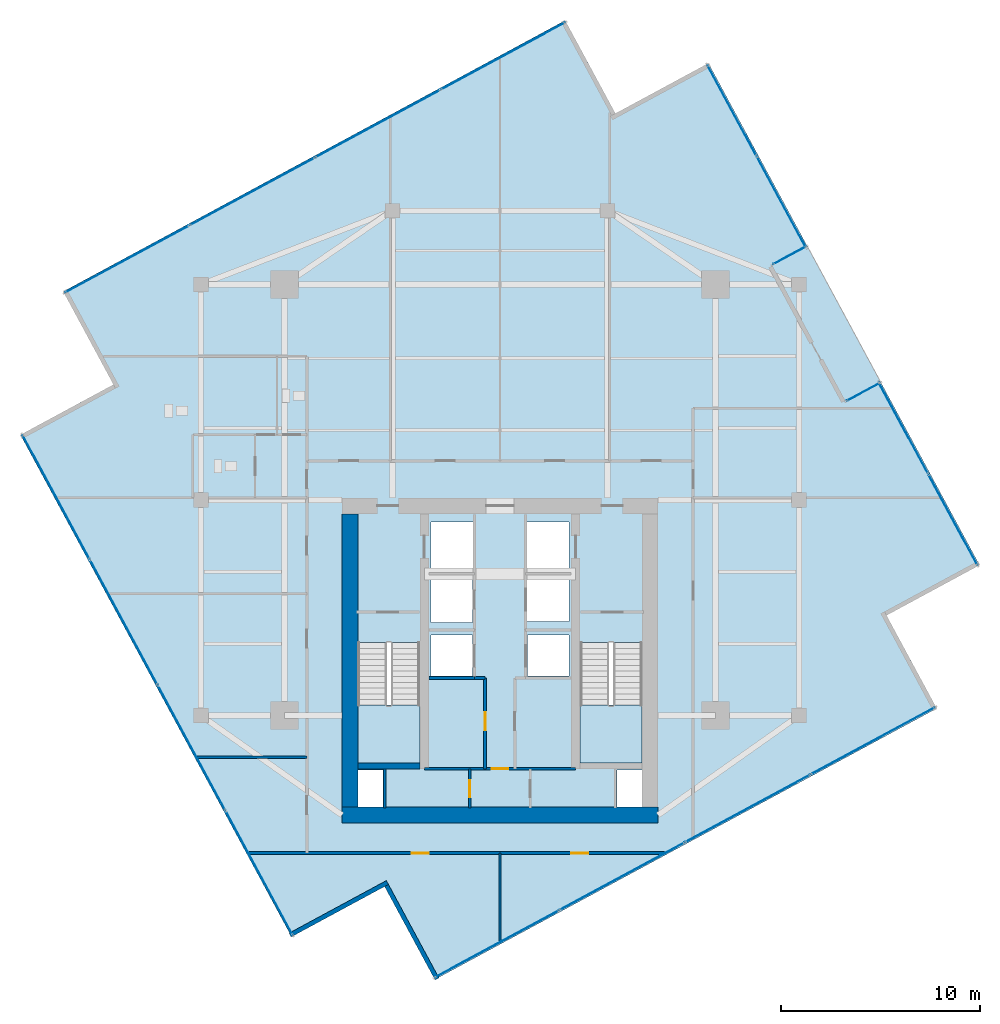
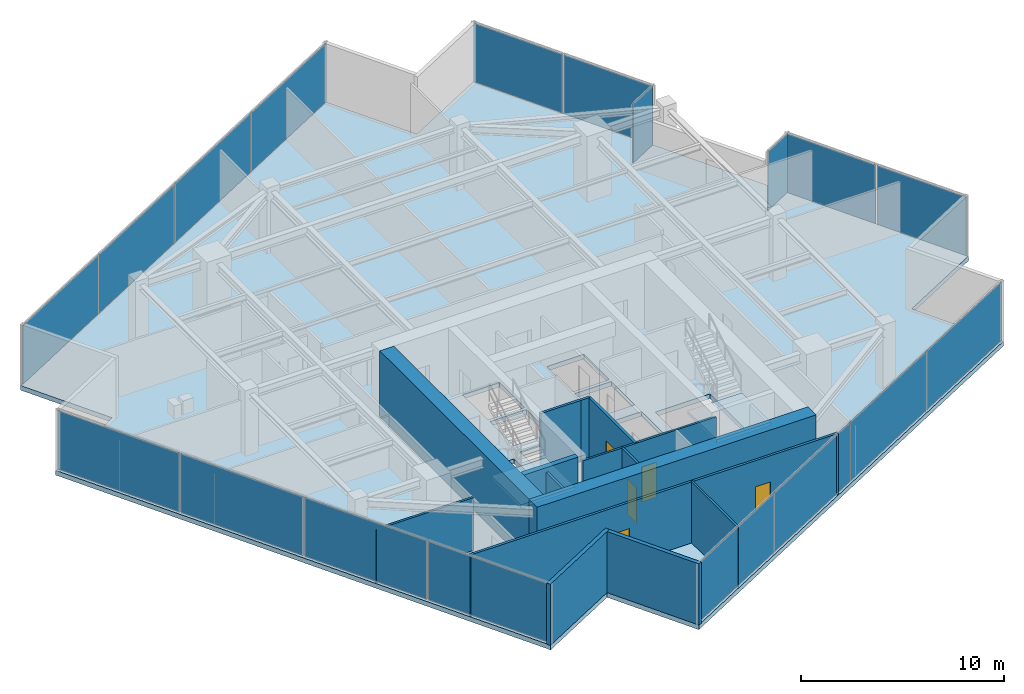
# One storey, part 18 of 22: 18 plates, 14 walls, 5 doors, 3 slabs, 5 openings, 9 elements without a shape of their own.
"""IFC4 building model written with IfcOpenShell, lengths in metres."""

from ifc_helpers import new_model, si_unit, direction, frame, frame_2d, origin, origin_2d, place, context, subcontext, project, spatial, polyline, rectangle, outline, extrude, source, transform, mapped, material, layer, layer_set, type_object, type_shapes, element, fill, aggregate, save


model = new_model("IFC4")

# Units and contexts
model_context = context("Model", 3, precision=1e-05, world=origin(), true_north=direction((0.0, 1.0)))
body_context = subcontext(model_context, "Body", "Model", "MODEL_VIEW")
ifc_project = project(units=[si_unit("LENGTHUNIT", "METRE"), si_unit("AREAUNIT", "SQUARE_METRE"), si_unit("VOLUMEUNIT", "CUBIC_METRE"), si_unit("PLANEANGLEUNIT", "RADIAN"), si_unit("MASSUNIT", "GRAM", prefix="KILO")], contexts=[model_context])

# Site, building, storey
site_placement = place(None, origin())
site = spatial("IfcSite", under=ifc_project, at=site_placement, CompositionType="ELEMENT")
building_placement = place(site_placement, origin())
building = spatial("IfcBuilding", under=site, at=building_placement, Name="Krantzveldt Concourse Tower", CompositionType="ELEMENT")
storey_placement = place(building_placement, frame((0.0, 0.0, 302.949951171875)))
storey = spatial("IfcBuildingStorey", under=building, at=storey_placement, Name="L74", CompositionType="ELEMENT", Elevation=302.949951171875)

# Stair, slab
ifc_material_1 = material(Name="Precast concrete C40/50", Category="concrete")
stair_type = type_object("IfcStairType", Name="STR-CORE-DOGLEG", PredefinedType="HALF_TURN_STAIR", material=ifc_material_1)
stair_1_placement = place(storey_placement, origin())
stair_1 = element("IfcStair", 1, at=stair_1_placement, inside=storey, type_object=stair_type, Name="L74 Protected Escape Stair ST-1", PredefinedType="HALF_TURN_STAIR")
ifc_layer_1 = layer(ifc_material_1, 0.199951171875, Name="Precast concrete C40/50", Category="concrete")
ifc_layer_set_1 = layer_set([ifc_layer_1], Name="Precast concrete C40/50 (SL-LANDING-200)")
slab_type_1 = type_object("IfcSlabType", Name="SL-LANDING-200", PredefinedType="LANDING", material=ifc_layer_set_1)
slab_1_placement = place(storey_placement, frame((0.0, 0.0, 1.775146484375)))
slab_1 = element("IfcSlab", 2, at=slab_1_placement, type_object=slab_type_1, Name="ST-1 landing 1", PredefinedType="LANDING", context=body_context, shape_type="SweptSolid", body=[
    extrude(outline(polyline([(28.8798828125, 16.4150390625), (28.8798828125, 13.52001953125), (31.97998046875, 13.52001953125), (31.97998046875, 16.4150390625), (28.8798828125, 16.4150390625)])), origin(), (0.0, 0.0, 1.0), 0.199951171875),
])
aggregate(stair_1, [slab_1])

stair_2_placement = place(storey_placement, origin())
stair_2 = element("IfcStair", 3, at=stair_2_placement, inside=storey, type_object=stair_type, Name="L74 Protected Escape Stair ST-2", PredefinedType="HALF_TURN_STAIR")
slab_2_placement = place(storey_placement, frame((0.0, 0.0, 1.775146484375)))
slab_2 = element("IfcSlab", 4, at=slab_2_placement, type_object=slab_type_1, Name="ST-2 landing 1", PredefinedType="LANDING", context=body_context, shape_type="SweptSolid", body=[
    extrude(outline(polyline([(40.02001953125, 16.4150390625), (40.02001953125, 13.52001953125), (43.1201171875, 13.52001953125), (43.1201171875, 16.4150390625), (40.02001953125, 16.4150390625)])), origin(), (0.0, 0.0, 1.0), 0.199951171875),
])
aggregate(stair_2, [slab_2])

# Slab
ifc_material_2 = material(Name="Concrete C40/50", Category="concrete")
ifc_layer_2 = layer(ifc_material_2, 0.280029296875, Name="Concrete C40/50", Category="concrete")
ifc_layer_set_2 = layer_set([ifc_layer_2], Name="Concrete C40/50 (SL-SL-TER280)")
slab_type_2 = type_object("IfcSlabType", Name="SL-SL-TER280", PredefinedType="FLOOR", material=ifc_layer_set_2)
slab_3_placement = place(storey_placement, frame((0.0, 0.0, -0.280029296875)))
element("IfcSlab", 5, at=slab_3_placement, inside=storey, type_object=slab_type_2, Name="SL-L74-MAIN", PredefinedType="FLOOR", context=body_context, shape_type="SweptSolid", body=[
    extrude(outline(polyline([(41.785888671875, 46.077880859375), (39.267333984375, 50.7412109375), (14.103271484375, 37.149169921875), (16.6220703125, 32.486083984375), (11.958984375, 29.96728515625), (25.55078125, 4.803466796875), (30.214111328125, 7.322021484375), (32.732666015625, 2.658935546875), (57.896728515625, 16.250732421875), (55.3779296875, 20.9140625), (60.041015625, 23.432861328125), (46.44921875, 48.5966796875), (41.785888671875, 46.077880859375)]), holes=[polyline([(28.8798828125, 19.547607421875), (28.8798828125, 13.52001953125), (31.97998046875, 13.52001953125), (31.97998046875, 19.547607421875), (28.8798828125, 19.547607421875)]), polyline([(40.02001953125, 19.547607421875), (40.02001953125, 13.52001953125), (43.1201171875, 13.52001953125), (43.1201171875, 19.547607421875), (40.02001953125, 19.547607421875)]), polyline([(32.550048828125, 23.10009765625), (34.64990234375, 23.10009765625), (34.64990234375, 25.60009765625), (32.550048828125, 25.60009765625), (32.550048828125, 23.10009765625)]), polyline([(37.35009765625, 23.10009765625), (39.449951171875, 23.10009765625), (39.449951171875, 25.60009765625), (37.35009765625, 25.60009765625), (37.35009765625, 23.10009765625)]), polyline([(37.35009765625, 20.60009765625), (39.449951171875, 20.60009765625), (39.449951171875, 22.89990234375), (37.35009765625, 22.89990234375), (37.35009765625, 20.60009765625)]), polyline([(32.550048828125, 20.550048828125), (34.6201171875, 20.550048828125), (34.6201171875, 22.89990234375), (32.550048828125, 22.89990234375), (32.550048828125, 20.550048828125)]), polyline([(32.550048828125, 17.8798828125), (34.6201171875, 17.8798828125), (34.6201171875, 19.919921875), (32.550048828125, 19.919921875), (32.550048828125, 17.8798828125)]), polyline([(37.3798828125, 17.8798828125), (39.449951171875, 17.8798828125), (39.449951171875, 19.919921875), (37.3798828125, 19.919921875), (37.3798828125, 17.8798828125)]), polyline([(28.8798828125, 11.320068359375), (30.139892578125, 11.320068359375), (30.139892578125, 13.159912109375), (28.8798828125, 13.159912109375), (28.8798828125, 11.320068359375)]), polyline([(41.860107421875, 11.320068359375), (43.1201171875, 11.320068359375), (43.1201171875, 13.159912109375), (41.860107421875, 13.159912109375), (41.860107421875, 11.320068359375)])]), origin(), (0.0, 0.0, 1.0), 0.280029296875),
])

# Curtain wall, plate
ifc_material_3 = material(Name="Anodised aluminium 6063-T6", Category="aluminium")
curtain_wall_type_1 = type_object("IfcCurtainWallType", Name="CW6", PredefinedType="USERDEFINED", material=ifc_material_3)
curtain_wall_1_placement = place(storey_placement, origin())
curtain_wall_1 = element("IfcCurtainWall", 6, at=curtain_wall_1_placement, inside=storey, type_object=curtain_wall_type_1, Name="CW-L74-TR11", ObjectType="UNITISED CURTAIN WALL", PredefinedType="USERDEFINED")
ifc_material_4 = material(Name="Bronze-tinted laminated low-E IGU glass", Category="glass")
ifc_layer_3 = layer(ifc_material_4, 0.031982421875, Name="Bronze-tinted laminated low-E IGU glass", Category="glass")
ifc_layer_set_3 = layer_set([ifc_layer_3], Name="Bronze-tinted laminated low-E IGU glass (CW-GLZ-32)")
plate_type = type_object("IfcPlateType", Name="CW-GLZ-32", PredefinedType="CURTAIN_PANEL", material=ifc_layer_set_3)
shared_shape_1 = source(origin(), body_context, "Body", "SweptSolid", [
    extrude(rectangle(XDim=1.860107421875, YDim=0.031982421875, at=origin_2d()), origin(), (0.0, 0.0, 1.0), 3.530029296875),
])
plate_1_placement = place(storey_placement, frame((54.214111328125, 32.116943359375, 0.06982421875), z_axis=(0.0, 0.0, 1.0), x_axis=(-0.879855933255, -0.475240504079, 0.0)))
plate_1 = element("IfcPlate", 7, at=plate_1_placement, type_object=plate_type, Name="CW-TERR panel 1.1", PredefinedType="CURTAIN_PANEL", context=body_context, shape_type="MappedRepresentation", body=[
    mapped(shared_shape_1, transform((0.0, 0.0, 0.0), x_axis=(1.0, 0.0, 0.0), y_axis=(0.0, 1.0, 0.0), z_axis=(0.0, 0.0, 1.0), scale=1.0)),
])
aggregate(curtain_wall_1, [plate_1])

curtain_wall_2_placement = place(storey_placement, origin())
curtain_wall_2 = element("IfcCurtainWall", 8, at=curtain_wall_2_placement, inside=storey, type_object=curtain_wall_type_1, Name="CW-L74-TR13", ObjectType="UNITISED CURTAIN WALL", PredefinedType="USERDEFINED")
plate_2_placement = place(storey_placement, frame((50.5166015625, 38.962158203125, 0.06982421875), z_axis=(0.0, 0.0, 1.0), x_axis=(0.879855933255, 0.475240504079, 0.0)))
plate_2 = element("IfcPlate", 9, at=plate_2_placement, type_object=plate_type, Name="CW-TERR panel 1.1", PredefinedType="CURTAIN_PANEL", context=body_context, shape_type="MappedRepresentation", body=[
    mapped(shared_shape_1, transform((0.0, 0.0, 0.0), x_axis=(1.0, 0.0, 0.0), y_axis=(0.0, 1.0, 0.0), z_axis=(0.0, 0.0, 1.0), scale=1.0)),
])
aggregate(curtain_wall_2, [plate_2])

# Curtain wall, plates
curtain_wall_type_2 = type_object("IfcCurtainWallType", Name="CW4", PredefinedType="USERDEFINED", material=ifc_material_3)
curtain_wall_3_placement = place(storey_placement, origin())
curtain_wall_3 = element("IfcCurtainWall", 10, at=curtain_wall_3_placement, inside=storey, type_object=curtain_wall_type_2, Name="CW-L74-F01", ObjectType="UNITISED CURTAIN WALL", PredefinedType="USERDEFINED")
shared_shape_2 = source(origin(), body_context, "Body", "SweptSolid", [
    extrude(rectangle(XDim=7.044921875, YDim=0.031982421875, at=origin_2d()), origin(), (0.0, 0.0, 1.0), 3.530029296875),
])
plate_3_placement = place(storey_placement, frame((36.149169921875, 48.95458984375, 0.06982421875), z_axis=(0.0, 0.0, 1.0), x_axis=(-0.87985605875, -0.475240271736, 0.0)))
plate_3 = element("IfcPlate", 11, at=plate_3_placement, type_object=plate_type, Name="CW-Z56 panel 1.1", PredefinedType="CURTAIN_PANEL", context=body_context, shape_type="MappedRepresentation", body=[
    mapped(shared_shape_2, transform((0.0, 0.0, 0.0), x_axis=(1.0, 0.0, 0.0), y_axis=(0.0, 1.0, 0.0), z_axis=(0.0, 0.0, 1.0), scale=1.0)),
])
plate_4_placement = place(storey_placement, frame((17.306884765625, 38.77734375, 0.06982421875), z_axis=(0.0, 0.0, 1.0), x_axis=(-0.87985605875, -0.475240271736, 0.0)))
plate_4 = element("IfcPlate", 12, at=plate_4_placement, type_object=plate_type, Name="CW-Z56 panel 4.1", PredefinedType="CURTAIN_PANEL", context=body_context, shape_type="MappedRepresentation", body=[
    mapped(shared_shape_2, transform((0.0, 0.0, 0.0), x_axis=(1.0, 0.0, 0.0), y_axis=(0.0, 1.0, 0.0), z_axis=(0.0, 0.0, 1.0), scale=1.0)),
])

curtain_wall_4_placement = place(storey_placement, origin())
curtain_wall_4 = element("IfcCurtainWall", 13, at=curtain_wall_4_placement, inside=storey, type_object=curtain_wall_type_2, Name="CW-L74-F04", ObjectType="UNITISED CURTAIN WALL", PredefinedType="USERDEFINED")
plate_5_placement = place(storey_placement, frame((13.745361328125, 26.84912109375, 0.06982421875), z_axis=(0.0, 0.0, 1.0), x_axis=(0.475240271736, -0.87985605875, 0.0)))
plate_5 = element("IfcPlate", 14, at=plate_5_placement, type_object=plate_type, Name="CW-Z56 panel 1.1", PredefinedType="CURTAIN_PANEL", context=body_context, shape_type="MappedRepresentation", body=[
    mapped(shared_shape_2, transform((0.0, 0.0, 0.0), x_axis=(1.0, 0.0, 0.0), y_axis=(0.0, 1.0, 0.0), z_axis=(0.0, 0.0, 1.0), scale=1.0)),
])
plate_6_placement = place(storey_placement, frame((23.922607421875, 8.007080078125, 0.06982421875), z_axis=(0.0, 0.0, 1.0), x_axis=(0.475240271736, -0.87985605875, 0.0)))
plate_6 = element("IfcPlate", 15, at=plate_6_placement, type_object=plate_type, Name="CW-Z56 panel 4.1", PredefinedType="CURTAIN_PANEL", context=body_context, shape_type="MappedRepresentation", body=[
    mapped(shared_shape_2, transform((0.0, 0.0, 0.0), x_axis=(1.0, 0.0, 0.0), y_axis=(0.0, 1.0, 0.0), z_axis=(0.0, 0.0, 1.0), scale=1.0)),
])

curtain_wall_5_placement = place(storey_placement, origin())
curtain_wall_5 = element("IfcCurtainWall", 16, at=curtain_wall_5_placement, inside=storey, type_object=curtain_wall_type_2, Name="CW-L74-F07", ObjectType="UNITISED CURTAIN WALL", PredefinedType="USERDEFINED")
plate_7_placement = place(storey_placement, frame((35.850830078125, 4.4453125, 0.06982421875), z_axis=(0.0, 0.0, 1.0), x_axis=(0.87985605875, 0.475240271736, 0.0)))
plate_7 = element("IfcPlate", 17, at=plate_7_placement, type_object=plate_type, Name="CW-Z56 panel 1.1", PredefinedType="CURTAIN_PANEL", context=body_context, shape_type="MappedRepresentation", body=[
    mapped(shared_shape_2, transform((0.0, 0.0, 0.0), x_axis=(1.0, 0.0, 0.0), y_axis=(0.0, 1.0, 0.0), z_axis=(0.0, 0.0, 1.0), scale=1.0)),
])
plate_8_placement = place(storey_placement, frame((54.693115234375, 14.62255859375, 0.06982421875), z_axis=(0.0, 0.0, 1.0), x_axis=(0.87985605875, 0.475240271736, 0.0)))
plate_8 = element("IfcPlate", 18, at=plate_8_placement, type_object=plate_type, Name="CW-Z56 panel 4.1", PredefinedType="CURTAIN_PANEL", context=body_context, shape_type="MappedRepresentation", body=[
    mapped(shared_shape_2, transform((0.0, 0.0, 0.0), x_axis=(1.0, 0.0, 0.0), y_axis=(0.0, 1.0, 0.0), z_axis=(0.0, 0.0, 1.0), scale=1.0)),
])

# Plate
shared_shape_3 = source(origin(), body_context, "Body", "SweptSolid", [
    extrude(rectangle(XDim=7.080078125, YDim=0.031982421875, at=origin_2d()), origin(), (0.0, 0.0, 1.0), 3.530029296875),
])
plate_9_placement = place(storey_placement, frame((29.87353515625, 45.56494140625, 0.06982421875), z_axis=(0.0, 0.0, 1.0), x_axis=(-0.87985605875, -0.475240271736, 0.0)))
plate_9 = element("IfcPlate", 19, at=plate_9_placement, type_object=plate_type, Name="CW-Z56 panel 2.1", PredefinedType="CURTAIN_PANEL", context=body_context, shape_type="MappedRepresentation", body=[
    mapped(shared_shape_3, transform((0.0, 0.0, 0.0), x_axis=(1.0, 0.0, 0.0), y_axis=(0.0, 1.0, 0.0), z_axis=(0.0, 0.0, 1.0), scale=1.0)),
])

plate_10_placement = place(storey_placement, frame((23.58251953125, 42.1669921875, 0.06982421875), z_axis=(0.0, 0.0, 1.0), x_axis=(-0.87985605875, -0.475240271736, 0.0)))
plate_10 = element("IfcPlate", 20, at=plate_10_placement, type_object=plate_type, Name="CW-Z56 panel 3.1", PredefinedType="CURTAIN_PANEL", context=body_context, shape_type="MappedRepresentation", body=[
    mapped(shared_shape_3, transform((0.0, 0.0, 0.0), x_axis=(1.0, 0.0, 0.0), y_axis=(0.0, 1.0, 0.0), z_axis=(0.0, 0.0, 1.0), scale=1.0)),
])

aggregate(curtain_wall_3, [plate_3, plate_9, plate_10, plate_4])

plate_11_placement = place(storey_placement, frame((17.135009765625, 20.573486328125, 0.06982421875), z_axis=(0.0, 0.0, 1.0), x_axis=(0.475240271736, -0.87985605875, 0.0)))
plate_11 = element("IfcPlate", 21, at=plate_11_placement, type_object=plate_type, Name="CW-Z56 panel 2.1", PredefinedType="CURTAIN_PANEL", context=body_context, shape_type="MappedRepresentation", body=[
    mapped(shared_shape_3, transform((0.0, 0.0, 0.0), x_axis=(1.0, 0.0, 0.0), y_axis=(0.0, 1.0, 0.0), z_axis=(0.0, 0.0, 1.0), scale=1.0)),
])

plate_12_placement = place(storey_placement, frame((20.532958984375, 14.282470703125, 0.06982421875), z_axis=(0.0, 0.0, 1.0), x_axis=(0.475240271736, -0.87985605875, 0.0)))
plate_12 = element("IfcPlate", 22, at=plate_12_placement, type_object=plate_type, Name="CW-Z56 panel 3.1", PredefinedType="CURTAIN_PANEL", context=body_context, shape_type="MappedRepresentation", body=[
    mapped(shared_shape_3, transform((0.0, 0.0, 0.0), x_axis=(1.0, 0.0, 0.0), y_axis=(0.0, 1.0, 0.0), z_axis=(0.0, 0.0, 1.0), scale=1.0)),
])

aggregate(curtain_wall_4, [plate_5, plate_11, plate_12, plate_6])

plate_13_placement = place(storey_placement, frame((42.12646484375, 7.8349609375, 0.06982421875), z_axis=(0.0, 0.0, 1.0), x_axis=(0.87985605875, 0.475240271736, 0.0)))
plate_13 = element("IfcPlate", 23, at=plate_13_placement, type_object=plate_type, Name="CW-Z56 panel 2.1", PredefinedType="CURTAIN_PANEL", context=body_context, shape_type="MappedRepresentation", body=[
    mapped(shared_shape_3, transform((0.0, 0.0, 0.0), x_axis=(1.0, 0.0, 0.0), y_axis=(0.0, 1.0, 0.0), z_axis=(0.0, 0.0, 1.0), scale=1.0)),
])

plate_14_placement = place(storey_placement, frame((48.41748046875, 11.23291015625, 0.06982421875), z_axis=(0.0, 0.0, 1.0), x_axis=(0.87985605875, 0.475240271736, 0.0)))
plate_14 = element("IfcPlate", 24, at=plate_14_placement, type_object=plate_type, Name="CW-Z56 panel 3.1", PredefinedType="CURTAIN_PANEL", context=body_context, shape_type="MappedRepresentation", body=[
    mapped(shared_shape_3, transform((0.0, 0.0, 0.0), x_axis=(1.0, 0.0, 0.0), y_axis=(0.0, 1.0, 0.0), z_axis=(0.0, 0.0, 1.0), scale=1.0)),
])

aggregate(curtain_wall_5, [plate_7, plate_13, plate_14, plate_8])

# Curtain wall, plates
curtain_wall_6_placement = place(storey_placement, origin())
curtain_wall_6 = element("IfcCurtainWall", 25, at=curtain_wall_6_placement, inside=storey, type_object=curtain_wall_type_2, Name="CW-L74-F10", ObjectType="UNITISED CURTAIN WALL", PredefinedType="USERDEFINED")
shared_shape_4 = source(origin(), body_context, "Body", "SweptSolid", [
    extrude(rectangle(XDim=5.14501953125, YDim=0.031982421875, at=origin_2d()), origin(), (0.0, 0.0, 1.0), 3.530029296875),
])
type_shapes(plate_type, [shared_shape_1, shared_shape_2, shared_shape_3, shared_shape_4])
plate_15_placement = place(storey_placement, frame((58.7060546875, 25.715087890625, 0.06982421875), z_axis=(0.0, 0.0, 1.0), x_axis=(-0.475240006286, 0.879856202129, 0.0)))
plate_15 = element("IfcPlate", 26, at=plate_15_placement, type_object=plate_type, Name="CW-Z56 panel 1.1", PredefinedType="CURTAIN_PANEL", context=body_context, shape_type="MappedRepresentation", body=[
    mapped(shared_shape_4, transform((0.0, 0.0, 0.0), x_axis=(1.0, 0.0, 0.0), y_axis=(0.0, 1.0, 0.0), z_axis=(0.0, 0.0, 1.0), scale=1.0)),
])
plate_16_placement = place(storey_placement, frame((56.227783203125, 30.303466796875, 0.06982421875), z_axis=(0.0, 0.0, 1.0), x_axis=(-0.475240006286, 0.879856202129, 0.0)))
plate_16 = element("IfcPlate", 27, at=plate_16_placement, type_object=plate_type, Name="CW-Z56 panel 2.1", PredefinedType="CURTAIN_PANEL", context=body_context, shape_type="MappedRepresentation", body=[
    mapped(shared_shape_4, transform((0.0, 0.0, 0.0), x_axis=(1.0, 0.0, 0.0), y_axis=(0.0, 1.0, 0.0), z_axis=(0.0, 0.0, 1.0), scale=1.0)),
])
aggregate(curtain_wall_6, [plate_15, plate_16])

curtain_wall_7_placement = place(storey_placement, origin())
curtain_wall_7 = element("IfcCurtainWall", 28, at=curtain_wall_7_placement, inside=storey, type_object=curtain_wall_type_2, Name="CW-L74-F14", ObjectType="UNITISED CURTAIN WALL", PredefinedType="USERDEFINED")
plate_17_placement = place(storey_placement, frame((50.104248046875, 41.640380859375, 0.06982421875), z_axis=(0.0, 0.0, 1.0), x_axis=(-0.475240006286, 0.879856202129, 0.0)))
plate_17 = element("IfcPlate", 29, at=plate_17_placement, type_object=plate_type, Name="CW-Z56 panel 1.1", PredefinedType="CURTAIN_PANEL", context=body_context, shape_type="MappedRepresentation", body=[
    mapped(shared_shape_4, transform((0.0, 0.0, 0.0), x_axis=(1.0, 0.0, 0.0), y_axis=(0.0, 1.0, 0.0), z_axis=(0.0, 0.0, 1.0), scale=1.0)),
])
plate_18_placement = place(storey_placement, frame((47.6259765625, 46.228759765625, 0.06982421875), z_axis=(0.0, 0.0, 1.0), x_axis=(-0.475240006286, 0.879856202129, 0.0)))
plate_18 = element("IfcPlate", 30, at=plate_18_placement, type_object=plate_type, Name="CW-Z56 panel 2.1", PredefinedType="CURTAIN_PANEL", context=body_context, shape_type="MappedRepresentation", body=[
    mapped(shared_shape_4, transform((0.0, 0.0, 0.0), x_axis=(1.0, 0.0, 0.0), y_axis=(0.0, 1.0, 0.0), z_axis=(0.0, 0.0, 1.0), scale=1.0)),
])
aggregate(curtain_wall_7, [plate_17, plate_18])

# Walls
ifc_layer_4 = layer(ifc_material_3, 0.219970703125, Name="Anodised aluminium 6063-T6", Category="aluminium")
ifc_layer_set_4 = layer_set([ifc_layer_4], Name="Anodised aluminium 6063-T6 (WL-EXT-NOTCH220)")
wall_type_1 = type_object("IfcWallType", Name="WL-EXT-NOTCH220", PredefinedType="ELEMENTEDWALL", material=ifc_layer_set_4)
wall_1_placement = place(storey_placement, frame((25.4765625, 4.88818359375, 0.0), z_axis=(0.0, 0.0, 1.0), x_axis=(0.879846852796, 0.475257315172, 0.0)))
element("IfcWall", 31, at=wall_1_placement, inside=storey, type_object=wall_type_1, Name="EW-L74-NCH05", PredefinedType="ELEMENTEDWALL", context=body_context, shape_type="SweptSolid", body=[
    extrude(rectangle(XDim=5.544921875, YDim=0.219970703125, at=frame_2d((2.7724609375, 0.0))), origin(), (0.0, 0.0, 1.0), 3.670166015625),
])
wall_2_placement = place(storey_placement, frame((30.310791015625, 7.37451171875, 0.0), z_axis=(0.0, 0.0, 1.0), x_axis=(0.475250431035, -0.879850571291, 0.0)))
element("IfcWall", 32, at=wall_2_placement, inside=storey, type_object=wall_type_1, Name="EW-L74-NCH06", PredefinedType="ELEMENTEDWALL", context=body_context, shape_type="SweptSolid", body=[
    extrude(rectangle(XDim=5.3251953125, YDim=0.219970703125, at=frame_2d((2.66259765625, 0.0))), origin(), (0.0, 0.0, 1.0), 3.670166015625),
])

# Wall, opening, door
ifc_material_5 = material(Name="Fire-rated gypsum plasterboard on steel stud", Category="steel")
ifc_layer_5 = layer(ifc_material_5, 0.1201171875, Name="Fire-rated gypsum plasterboard on steel stud", Category="steel")
ifc_layer_set_5 = layer_set([ifc_layer_5], Name="Fire-rated gypsum plasterboard on steel stud (WL-PART-120)")
wall_type_2 = type_object("IfcWallType", Name="WL-PART-120", PredefinedType="PARTITIONING", material=ifc_layer_set_5)
wall_3_placement = place(storey_placement, frame((32.2099609375, 13.219970703125, 0.0), z_axis=(0.0, 0.0, 1.0), x_axis=(1.0, 0.0, 0.0)))
wall_3 = element("IfcWall", 33, at=wall_3_placement, inside=storey, type_object=wall_type_2, Name="WP-L74-CS2H", PredefinedType="PARTITIONING", context=body_context, shape_type="SweptSolid", body=[
    extrude(rectangle(XDim=7.580078125, YDim=0.1201171875, at=frame_2d((3.7900390625, 0.0))), origin(), (0.0, 0.0, 1.0), 3.670166015625),
])
opening_1_placement = place(wall_3_placement, frame((3.364990234375, 0.0, 0.0)))
opening_1 = element("IfcOpeningElement", 34, at=opening_1_placement, cuts=wall_3, Name="Opening D-IN085", PredefinedType="OPENING", context=body_context, shape_type="SweptSolid", body=[
    extrude(rectangle(XDim=0.85009765625, YDim=2.10009765625, at=frame_2d((0.425048828125, 1.050048828125))), frame((0.0, 0.070068359375, 0.0), z_axis=(0.0, -1.0, 0.0), x_axis=(1.0, 0.0, 0.0)), (0.0, 0.0, 1.0), 0.14013671875),
])
ifc_material_6 = material(Name="Hardwood timber", Category="wood")
door_type_1 = type_object("IfcDoorType", Name="DR-INT-850", OperationType="SINGLE_SWING_LEFT", PredefinedType="DOOR", material=ifc_material_6)
door_1_placement = place(opening_1_placement, origin())
door_1 = element("IfcDoor", 35, at=door_1_placement, inside=storey, type_object=door_type_1, Name="DR-L74-LLBS", OperationType="SINGLE_SWING_RIGHT", OverallHeight=2.10009765625, OverallWidth=0.85009765625, PredefinedType="DOOR", context=body_context, shape_type="SweptSolid", body=[
    extrude(rectangle(XDim=0.85009765625, YDim=2.10009765625, at=frame_2d((0.425048828125, 1.050048828125))), frame((0.0, 0.02490234375, 0.0), z_axis=(0.0, -1.0, 0.0), x_axis=(1.0, 0.0, 0.0)), (0.0, 0.0, 1.0), 0.050048828125),
])
fill(opening_1, door_1)

wall_4_placement = place(storey_placement, frame((34.47998046875, 11.25, 0.0), z_axis=(0.0, 0.0, 1.0), x_axis=(0.0, 1.0, 0.0)))
wall_4 = element("IfcWall", 36, at=wall_4_placement, inside=storey, type_object=wall_type_2, Name="WP-L74-CSB-VL", PredefinedType="PARTITIONING", context=body_context, shape_type="SweptSolid", body=[
    extrude(rectangle(XDim=1.969970703125, YDim=0.1201171875, at=frame_2d((0.98486328125, 0.0))), origin(), (0.0, 0.0, 1.0), 3.670166015625),
])
opening_2_placement = place(wall_4_placement, frame((0.544921875, 0.0, 0.0)))
opening_2 = element("IfcOpeningElement", 37, at=opening_2_placement, cuts=wall_4, Name="Opening D-IN085", PredefinedType="OPENING", context=body_context, shape_type="SweptSolid", body=[
    extrude(rectangle(XDim=0.85009765625, YDim=2.10009765625, at=frame_2d((0.425048828125, 1.050048828125))), frame((0.0, 0.070068359375, 0.0), z_axis=(0.0, -1.0, 0.0), x_axis=(1.0, 0.0, 0.0)), (0.0, 0.0, 1.0), 0.14013671875),
])
door_2_placement = place(opening_2_placement, origin())
door_2 = element("IfcDoor", 38, at=door_2_placement, inside=storey, type_object=door_type_1, Name="DR-L74-CSB1", OperationType="SINGLE_SWING_LEFT", OverallHeight=2.10009765625, OverallWidth=0.85009765625, PredefinedType="DOOR", context=body_context, shape_type="SweptSolid", body=[
    extrude(rectangle(XDim=0.85009765625, YDim=2.10009765625, at=frame_2d((0.425048828125, 1.050048828125))), frame((0.0, 0.02490234375, 0.0), z_axis=(0.0, -1.0, 0.0), x_axis=(1.0, 0.0, 0.0)), (0.0, 0.0, 1.0), 0.050048828125),
])
fill(opening_2, door_2)

# Walls
wall_5_placement = place(storey_placement, frame((20.793701171875, 13.800048828125, 0.0), z_axis=(0.0, 0.0, 1.0), x_axis=(1.0, 0.0, 0.0)))
element("IfcWall", 39, at=wall_5_placement, inside=storey, type_object=wall_type_2, Name="WP-L74-WD1", PredefinedType="PARTITIONING", context=body_context, shape_type="SweptSolid", body=[
    extrude(rectangle(XDim=5.5263671875, YDim=0.1201171875, at=frame_2d((2.76318359375, 0.0))), origin(), (0.0, 0.0, 1.0), 3.179931640625),
])
wall_6_placement = place(storey_placement, frame((36.0, 4.52587890625, 0.0), z_axis=(0.0, 0.0, 1.0), x_axis=(0.0, 1.0, 0.0)))
element("IfcWall", 40, at=wall_6_placement, inside=storey, type_object=wall_type_2, Name="WP-L74-SSMD", PredefinedType="PARTITIONING", context=body_context, shape_type="SweptSolid", body=[
    extrude(rectangle(XDim=4.47412109375, YDim=0.1201171875, at=frame_2d((2.237060546875, 0.0))), origin(), (0.0, 0.0, 1.0), 3.670166015625),
])

# Wall, openings, doors
ifc_layer_6 = layer(ifc_material_5, 0.139892578125, Name="Fire-rated gypsum plasterboard on steel stud", Category="steel")
ifc_layer_set_6 = layer_set([ifc_layer_6], Name="Fire-rated gypsum plasterboard on steel stud (WL-PART-140)")
wall_type_3 = type_object("IfcWallType", Name="WL-PART-140", PredefinedType="PARTITIONING", material=ifc_layer_set_6)
wall_7_placement = place(storey_placement, frame((23.38623046875, 9.0, 0.0), z_axis=(0.0, 0.0, 1.0), x_axis=(1.0, 0.0, 0.0)))
wall_7 = element("IfcWall", 41, at=wall_7_placement, inside=storey, type_object=wall_type_3, Name="WP-L74-CSBOT", PredefinedType="PARTITIONING", context=body_context, shape_type="SweptSolid", body=[
    extrude(rectangle(XDim=20.89697265625, YDim=0.139892578125, at=frame_2d((10.448486328125, 0.0))), origin(), (0.0, 0.0, 1.0), 3.670166015625),
])
opening_3_placement = place(wall_7_placement, frame((8.188720703125, 0.0, 0.0)))
opening_3 = element("IfcOpeningElement", 42, at=opening_3_placement, cuts=wall_7, Name="Opening D-IN085", PredefinedType="OPENING", context=body_context, shape_type="SweptSolid", body=[
    extrude(rectangle(XDim=0.85009765625, YDim=2.10009765625, at=frame_2d((0.425048828125, 1.050048828125))), frame((0.0, 0.080078125, 0.0), z_axis=(0.0, -1.0, 0.0), x_axis=(1.0, 0.0, 0.0)), (0.0, 0.0, 1.0), 0.159912109375),
])
opening_4_placement = place(wall_7_placement, frame((16.188720703125, 0.0, 0.0)))
opening_4 = element("IfcOpeningElement", 43, at=opening_4_placement, cuts=wall_7, Name="Opening D-IN085", PredefinedType="OPENING", context=body_context, shape_type="SweptSolid", body=[
    extrude(rectangle(XDim=0.85009765625, YDim=2.10009765625, at=frame_2d((0.425048828125, 1.050048828125))), frame((0.0, 0.080078125, 0.0), z_axis=(0.0, -1.0, 0.0), x_axis=(1.0, 0.0, 0.0)), (0.0, 0.0, 1.0), 0.159912109375),
])
door_3_placement = place(opening_3_placement, origin())
door_3 = element("IfcDoor", 44, at=door_3_placement, inside=storey, type_object=door_type_1, Name="DR-L74-SR1", OperationType="SINGLE_SWING_LEFT", OverallHeight=2.10009765625, OverallWidth=0.85009765625, PredefinedType="DOOR", context=body_context, shape_type="SweptSolid", body=[
    extrude(rectangle(XDim=0.85009765625, YDim=2.10009765625, at=frame_2d((0.425048828125, 1.050048828125))), frame((0.0, 0.02490234375, 0.0), z_axis=(0.0, -1.0, 0.0), x_axis=(1.0, 0.0, 0.0)), (0.0, 0.0, 1.0), 0.050048828125),
])
fill(opening_3, door_3)
door_4_placement = place(opening_4_placement, origin())
door_4 = element("IfcDoor", 45, at=door_4_placement, inside=storey, type_object=door_type_1, Name="DR-L74-SR2", OperationType="SINGLE_SWING_LEFT", OverallHeight=2.10009765625, OverallWidth=0.85009765625, PredefinedType="DOOR", context=body_context, shape_type="SweptSolid", body=[
    extrude(rectangle(XDim=0.85009765625, YDim=2.10009765625, at=frame_2d((0.425048828125, 1.050048828125))), frame((0.0, 0.02490234375, 0.0), z_axis=(0.0, -1.0, 0.0), x_axis=(1.0, 0.0, 0.0)), (0.0, 0.0, 1.0), 0.050048828125),
])
fill(opening_4, door_4)

# Wall
ifc_layer_7 = layer(ifc_material_5, 0.139892578125, Name="Fire-rated gypsum plasterboard on steel stud", Category="steel")
ifc_layer_set_7 = layer_set([ifc_layer_7], Name="Fire-rated gypsum plasterboard on steel stud (WL-PART-FR140)")
wall_type_4 = type_object("IfcWallType", Name="WL-PART-FR140", PredefinedType="PARTITIONING", material=ifc_layer_set_7)
wall_8_placement = place(storey_placement, frame((32.449951171875, 17.780029296875, 0.0), z_axis=(0.0, 0.0, 1.0), x_axis=(1.0, 0.0, 0.0)))
element("IfcWall", 46, at=wall_8_placement, inside=storey, type_object=wall_type_4, Name="WP-L74-DIVW2", PredefinedType="PARTITIONING", context=body_context, shape_type="SweptSolid", body=[
    extrude(rectangle(XDim=2.27001953125, YDim=0.139892578125, at=frame_2d((1.135009765625, 0.0))), origin(), (0.0, 0.0, 1.0), 3.670166015625),
])

# Wall, opening, door
wall_9_placement = place(storey_placement, frame((35.25, 13.219970703125, 0.0), z_axis=(0.0, 0.0, 1.0), x_axis=(0.0, 1.0, 0.0)))
wall_9 = element("IfcWall", 47, at=wall_9_placement, inside=storey, type_object=wall_type_4, Name="WP-L74-RECW", PredefinedType="PARTITIONING", context=body_context, shape_type="SweptSolid", body=[
    extrude(rectangle(XDim=4.56005859375, YDim=0.139892578125, at=frame_2d((2.280029296875, 0.0))), origin(), (0.0, 0.0, 1.0), 3.670166015625),
])
opening_5_placement = place(wall_9_placement, frame((1.929931640625, 0.0, 0.0)))
opening_5 = element("IfcOpeningElement", 48, at=opening_5_placement, cuts=wall_9, Name="Opening D-FD090", PredefinedType="OPENING", context=body_context, shape_type="SweptSolid", body=[
    extrude(rectangle(XDim=0.89990234375, YDim=2.10009765625, at=frame_2d((0.449951171875, 1.050048828125))), frame((0.0, 0.080078125, 0.0), z_axis=(0.0, -1.0, 0.0), x_axis=(1.0, 0.0, 0.0)), (0.0, 0.0, 1.0), 0.159912109375),
])
door_type_2 = type_object("IfcDoorType", Name="DR-FD60-900", OperationType="SINGLE_SWING_LEFT", PredefinedType="DOOR", material=ifc_material_6)
door_5_placement = place(opening_5_placement, origin())
door_5 = element("IfcDoor", 49, at=door_5_placement, inside=storey, type_object=door_type_2, Name="DR-L74-RECW", OperationType="SINGLE_SWING_LEFT", OverallHeight=2.10009765625, OverallWidth=0.89990234375, PredefinedType="DOOR", context=body_context, shape_type="SweptSolid", body=[
    extrude(rectangle(XDim=0.89990234375, YDim=2.10009765625, at=frame_2d((0.449951171875, 1.050048828125))), frame((0.0, 0.02490234375, 0.0), z_axis=(0.0, -1.0, 0.0), x_axis=(1.0, 0.0, 0.0)), (0.0, 0.0, 1.0), 0.050048828125),
])
fill(opening_5, door_5)

# Walls
wall_10_placement = place(storey_placement, frame((34.719970703125, 17.780029296875, 0.0), z_axis=(0.0, 0.0, 1.0), x_axis=(1.0, 0.0, 0.0)))
element("IfcWall", 50, at=wall_10_placement, inside=storey, type_object=wall_type_4, Name="WP-L74-RECWN", PredefinedType="PARTITIONING", context=body_context, shape_type="SweptSolid", body=[
    extrude(rectangle(XDim=0.530029296875, YDim=0.139892578125, at=frame_2d((0.26513671875, 0.0))), origin(), (0.0, 0.0, 1.0), 3.670166015625),
])
wall_11_placement = place(storey_placement, frame((30.219970703125, 11.25, 0.0), z_axis=(0.0, 0.0, 1.0), x_axis=(0.0, 1.0, 0.0)))
element("IfcWall", 51, at=wall_11_placement, inside=storey, type_object=wall_type_4, Name="WP-L74-RSW", PredefinedType="PARTITIONING", context=body_context, shape_type="SweptSolid", body=[
    extrude(rectangle(XDim=1.969970703125, YDim=0.1201171875, at=frame_2d((0.98486328125, 0.0))), origin(), (0.0, 0.0, 1.0), 3.670166015625),
])
ifc_material_7 = material(Name="Concrete C50/60", Category="concrete")
ifc_layer_8 = layer(ifc_material_7, 0.300048828125, Name="Concrete C50/60", Category="concrete")
ifc_layer_set_8 = layer_set([ifc_layer_8], Name="Concrete C50/60 (WL-SHEAR-300)")
wall_type_5 = type_object("IfcWallType", Name="WL-SHEAR-300", PredefinedType="SHEAR", material=ifc_layer_set_8)
wall_12_placement = place(storey_placement, frame((28.8798828125, 13.3701171875, 0.0), z_axis=(0.0, 0.0, 1.0), x_axis=(1.0, 0.0, 0.0)))
element("IfcWall", 52, at=wall_12_placement, inside=storey, type_object=wall_type_5, Name="CW-L74-ST1S", PredefinedType="SHEAR", context=body_context, shape_type="SweptSolid", body=[
    extrude(rectangle(XDim=3.10009765625, YDim=0.300048828125, at=frame_2d((1.550048828125, 0.0))), origin(), (0.0, 0.0, 1.0), 3.949951171875),
])
ifc_material_8 = material(Name="Concrete C60/75", Category="concrete")
ifc_layer_9 = layer(ifc_material_8, 0.800048828125, Name="Concrete C60/75", Category="concrete")
ifc_layer_set_9 = layer_set([ifc_layer_9], Name="Concrete C60/75 (WL-SHEAR-800)")
wall_type_6 = type_object("IfcWallType", Name="WL-SHEAR-800", PredefinedType="SHEAR", material=ifc_layer_set_9)
wall_13_placement = place(storey_placement, frame((28.080078125, 10.89990234375, 0.0), z_axis=(0.0, 0.0, 1.0), x_axis=(1.0, 0.0, 0.0)))
element("IfcWall", 53, at=wall_13_placement, inside=storey, type_object=wall_type_6, Name="CW-L74-S", PredefinedType="SHEAR", context=body_context, shape_type="SweptSolid", body=[
    extrude(rectangle(XDim=15.83984375, YDim=0.800048828125, at=frame_2d((7.919921875, 0.0))), origin(), (0.0, 0.0, 1.0), 3.949951171875),
])
wall_14_placement = place(storey_placement, frame((28.47998046875, 11.300048828125, 0.0), z_axis=(0.0, 0.0, 1.0), x_axis=(0.0, 1.0, 0.0)))
element("IfcWall", 54, at=wall_14_placement, inside=storey, type_object=wall_type_6, Name="CW-L74-W", PredefinedType="SHEAR", context=body_context, shape_type="SweptSolid", body=[
    extrude(rectangle(XDim=14.699951171875, YDim=0.800048828125, at=frame_2d((7.35009765625, 0.0))), origin(), (0.0, 0.0, 1.0), 3.949951171875),
])

save(model, "model.ifc")
